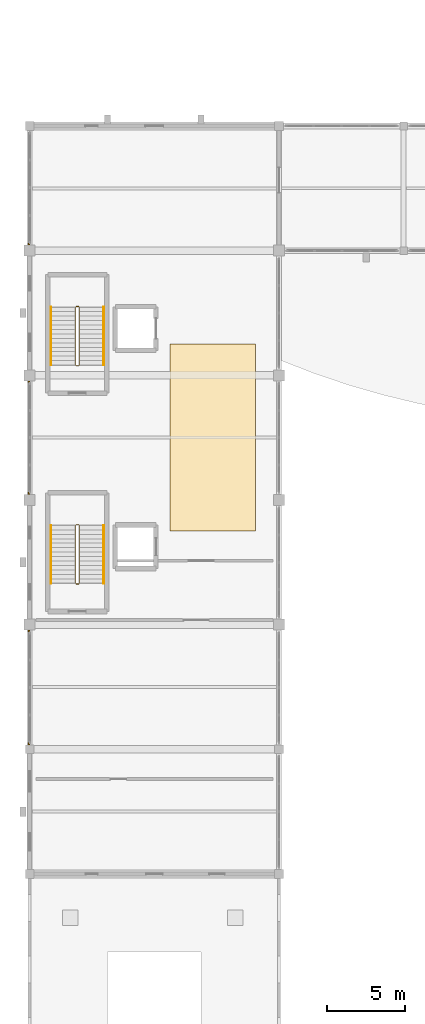
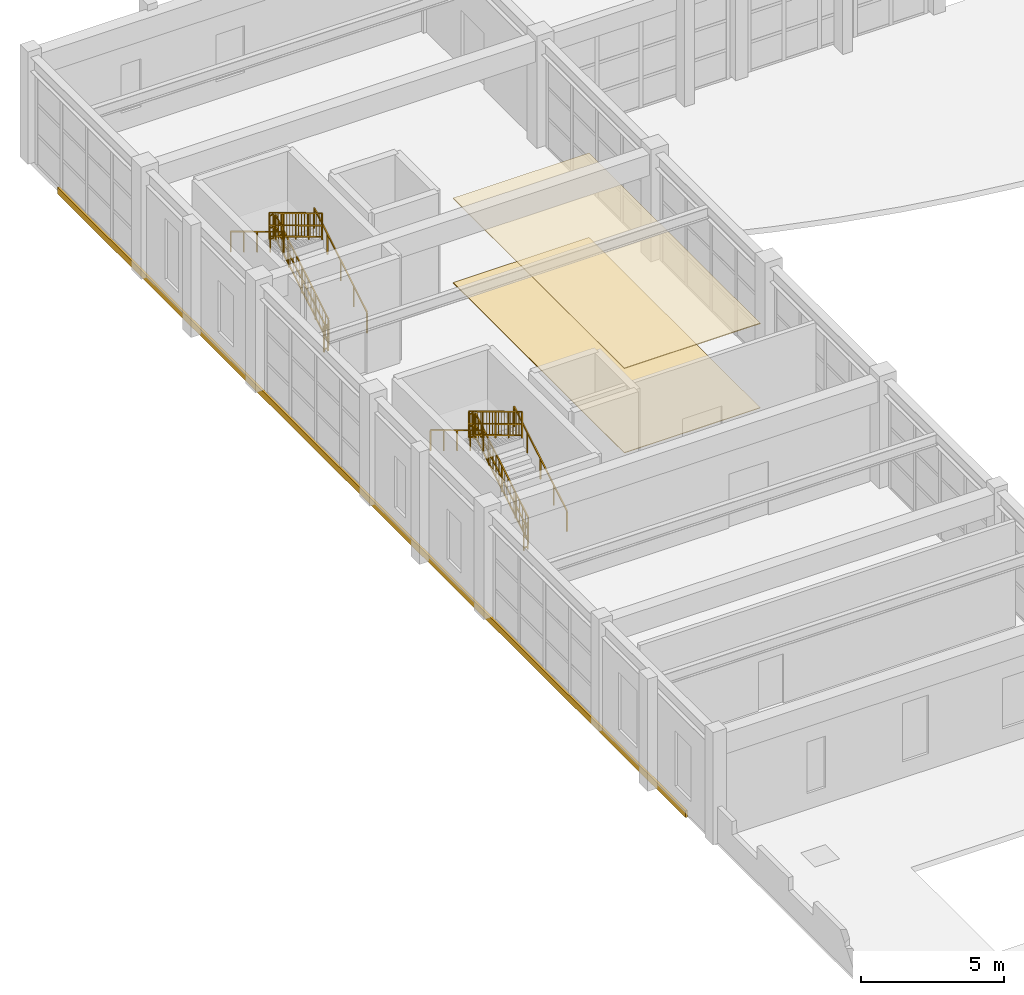
# One storey, part 51 of 59: 12 railings, 3 coverings.
"""IFC4 building model written with IfcOpenShell, lengths in metres."""

import ifcopenshell
import ifcopenshell.guid

model = None  # the IFC model being written
_history = None  # IfcOwnerHistory: only IFC2X3 demands one
_inside = {}  # id of a spatial element -> (the spatial element, [elements in it])
_under = {}  # id of a project, library or spatial element -> (it, [spatial elements below it])
_declared = {}  # id of a project -> (the project, [libraries it declares])
_typed = {}  # id of a type object -> (the type object, [elements of that type])
_made_of = {}  # id of a material, layer set ... -> (it, [elements and type objects made of it])


def new_model(schema):
    """Start an empty IFC model of exactly this schema.

    Asked for "IFC4X3", IfcOpenShell would pick the latest addendum, in which some entities
    have other attributes; the version numbers below select the first issue.
    IFC2X3 requires an IfcOwnerHistory on every rooted entity: one is made here for all.
    """
    global model, _history
    if schema == "IFC4X3":
        model = ifcopenshell.file(schema_version=(4, 3, 0, 0))
    else:
        model = ifcopenshell.file(schema=schema)
    _inside.clear()
    _under.clear()
    _declared.clear()
    _typed.clear()
    _made_of.clear()
    _history = None
    if model.schema == "IFC2X3":
        org = make("IfcOrganization", Name="unknown")
        user = make(
            "IfcPersonAndOrganization",
            ThePerson=make("IfcPerson", FamilyName="unknown"),
            TheOrganization=org,
        )
        app = make(
            "IfcApplication",
            ApplicationDeveloper=org,
            Version="unknown",
            ApplicationFullName="unknown",
            ApplicationIdentifier="unknown",
        )
        _history = make(
            "IfcOwnerHistory",
            OwningUser=user,
            OwningApplication=app,
            ChangeAction="ADDED",
            CreationDate=0,
        )
    return model


def make(cls, **values):
    """One entity of the class cls with the attributes given. An attribute that is None is left unset."""
    return model.create_entity(
        cls, **{name: value for name, value in values.items() if value is not None}
    )


def rooted(cls, **values):
    """An entity with a GlobalId (a new one), such as an element, a storey or a relation."""
    return make(cls, GlobalId=ifcopenshell.guid.new(), OwnerHistory=_history, **values)


def si_unit(unit_type, name, prefix=None):
    """IfcSIUnit, for example si_unit("LENGTHUNIT", "METRE", prefix="MILLI")."""
    return make("IfcSIUnit", UnitType=unit_type, Prefix=prefix, Name=name)


def assignment(units):
    """IfcUnitAssignment: the units of a project."""
    return None if units is None else make("IfcUnitAssignment", Units=units)


def point(xyz):
    """IfcCartesianPoint."""
    return None if xyz is None else make("IfcCartesianPoint", Coordinates=xyz)


def direction(xyz):
    """IfcDirection."""
    return None if xyz is None else make("IfcDirection", DirectionRatios=xyz)


def frame(location, z_axis=None, x_axis=None):
    """IfcAxis2Placement3D, a coordinate frame: its origin and axes. An axis left out is left unset."""
    return make(
        "IfcAxis2Placement3D",
        Location=point(location),
        Axis=direction(z_axis),
        RefDirection=direction(x_axis),
    )


def frame_2d(location, x_axis=None):
    """IfcAxis2Placement2D, a coordinate frame in the plane: its origin and x axis."""
    return make(
        "IfcAxis2Placement2D", Location=point(location), RefDirection=direction(x_axis)
    )


def origin():
    """The frame at (0, 0, 0) with its axes left unset."""
    return frame((0.0, 0.0, 0.0))


def origin_2d():
    """The frame at (0, 0) in the plane with its x axis left unset."""
    return frame_2d((0.0, 0.0))


def place(relative_to, where):
    """IfcLocalPlacement: puts the frame where relative to a parent placement (None: the world)."""
    return make(
        "IfcLocalPlacement", PlacementRelTo=relative_to, RelativePlacement=where
    )


def context(
    kind, dimensions, precision=None, world=None, true_north=None, identifier=None
):
    """IfcGeometricRepresentationContext, for example the 3D "Model" context."""
    return make(
        "IfcGeometricRepresentationContext",
        ContextIdentifier=identifier,
        ContextType=kind,
        CoordinateSpaceDimension=dimensions,
        Precision=precision,
        WorldCoordinateSystem=world,
        TrueNorth=true_north,
    )


def subcontext(parent, identifier, kind, view, scale=None):
    """IfcGeometricRepresentationSubContext, for example "Body" below "Model"."""
    return make(
        "IfcGeometricRepresentationSubContext",
        ContextIdentifier=identifier,
        ContextType=kind,
        ParentContext=parent,
        TargetScale=scale,
        TargetView=view,
    )


def project(units=None, contexts=None):
    """IfcProject with its units and contexts."""
    return rooted(
        "IfcProject",
        Name="project",
        RepresentationContexts=contexts,
        UnitsInContext=assignment(units),
    )


def spatial(cls, under=None, at=None, **own):
    """A site, building, storey or space (cls), placed at a placement, below another one or the project."""
    s = rooted(cls, ObjectPlacement=at, **own)
    if under is not None:
        _under.setdefault(under.id(), (under, []))[1].append(s)
    return s


def polyline(points):
    """IfcPolyline through the points."""
    return make("IfcPolyline", Points=[point(p) for p in points])


def profile(cls, at=None, kind="AREA", **sizes):
    """A parametric profile (cls). Its sizes go by their IFC names, for example OverallWidth=200.0."""
    return make(cls, ProfileType=kind, Position=at, **sizes)


def rectangle(**sizes):
    """IfcRectangleProfileDef."""
    return profile("IfcRectangleProfileDef", **sizes)


def outline(outer, holes=None, kind="AREA"):
    """IfcArbitraryClosedProfileDef: a profile drawn as a closed curve; with holes, ...WithVoids."""
    if holes is None:
        return make("IfcArbitraryClosedProfileDef", ProfileType=kind, OuterCurve=outer)
    return make(
        "IfcArbitraryProfileDefWithVoids",
        ProfileType=kind,
        OuterCurve=outer,
        InnerCurves=holes,
    )


def extrude(swept, where, along, depth):
    """IfcExtrudedAreaSolid: the profile swept, set in the frame where, extruded along a direction by depth."""
    return make(
        "IfcExtrudedAreaSolid",
        SweptArea=swept,
        Position=where,
        ExtrudedDirection=direction(along),
        Depth=depth,
    )


def shape(context_of_items, identifier, shape_type, items):
    """IfcShapeRepresentation: the items that make up one representation, for example the "Body"."""
    return make(
        "IfcShapeRepresentation",
        ContextOfItems=context_of_items,
        RepresentationIdentifier=identifier,
        RepresentationType=shape_type,
        Items=items,
    )


def material(Name=None, Category=None):
    """IfcMaterial."""
    return make("IfcMaterial", Name=Name, Category=Category)


def layer(
    of_material, thickness, ventilated=None, Name=None, Category=None, Priority=None
):
    """IfcMaterialLayer: one layer of a wall or slab, of a material (None: an air gap)."""
    return make(
        "IfcMaterialLayer",
        Material=of_material,
        LayerThickness=thickness,
        IsVentilated=ventilated,
        Name=Name,
        Category=Category,
        Priority=Priority,
    )


def layer_set(layers, Name=None):
    """IfcMaterialLayerSet."""
    return make("IfcMaterialLayerSet", MaterialLayers=layers, LayerSetName=Name)


def made_of(thing, what):
    """Note that an element or type object is made of a material, layer set ...; save() writes the relation."""
    if what is not None:
        _made_of.setdefault(what.id(), (what, []))[1].append(thing)
    return thing


def type_object(cls, material=None, **own):
    """A type object (cls), such as IfcWallType, which elements share."""
    return made_of(rooted(cls, **own), material)


def element(
    cls,
    number,
    at=None,
    inside=None,
    cuts=None,
    type_object=None,
    material=None,
    context=None,
    identifier="Body",
    shape_type=None,
    held_by="IfcProductDefinitionShape",
    body=None,
    shapes=None,
    **own,
):
    """One element of the class cls, such as IfcWall. Its Tag is "e" and its number.

    at: its placement. inside: the storey or other place that contains it. cuts: it is an
    opening in that element (IfcRelVoidsElement). A single representation is given by context,
    identifier, shape_type and body (its items); several are given by shapes. held_by: the class
    of the entity that holds the representations. save() writes the other relations.
    """
    e = rooted(cls, Tag="e%d" % number, ObjectPlacement=at, **own)
    if body is not None:
        shapes = [shape(context, identifier, shape_type, body)]
    if shapes is not None:
        e.Representation = make(held_by, Representations=shapes)
    if inside is not None:
        _inside.setdefault(inside.id(), (inside, []))[1].append(e)
    if cuts is not None:
        rooted(
            "IfcRelVoidsElement", RelatingBuildingElement=cuts, RelatedOpeningElement=e
        )
    if type_object is not None:
        _typed.setdefault(type_object.id(), (type_object, []))[1].append(e)
    return made_of(e, material)


def aggregate(whole, parts):
    """IfcRelAggregates: a whole, such as a stair, and the parts it consists of."""
    return rooted("IfcRelAggregates", RelatingObject=whole, RelatedObjects=parts)


def save(model, path):
    """Write the relations noted so far, then the file.

    IfcRelAggregates (storeys below a building ...), IfcRelContainedInSpatialStructure (elements
    in a storey), IfcRelDefinesByType, IfcRelAssociatesMaterial and IfcRelDeclares: one each for
    every whole, place, type object, material and project.
    """
    for whole, parts in _under.values():
        aggregate(whole, parts)
    for where, things in _inside.values():
        rooted(
            "IfcRelContainedInSpatialStructure",
            RelatedElements=things,
            RelatingStructure=where,
        )
    for kind, things in _typed.values():
        rooted("IfcRelDefinesByType", RelatedObjects=things, RelatingType=kind)
    for what, things in _made_of.values():
        rooted("IfcRelAssociatesMaterial", RelatedObjects=things, RelatingMaterial=what)
    for by, libraries in _declared.values():
        rooted("IfcRelDeclares", RelatingContext=by, RelatedDefinitions=libraries)
    model.write(path)


model = new_model("IFC4")

# Units and contexts
model_context = context("Model", 3, precision=1e-05, world=origin(), true_north=direction((0.0, 1.0)))
body_context = subcontext(model_context, "Body", "Model", "MODEL_VIEW")
ifc_project = project(units=[si_unit("LENGTHUNIT", "METRE"), si_unit("AREAUNIT", "SQUARE_METRE"), si_unit("VOLUMEUNIT", "CUBIC_METRE"), si_unit("PLANEANGLEUNIT", "RADIAN"), si_unit("MASSUNIT", "GRAM", prefix="KILO")], contexts=[model_context])

# Site, building, storey
site_placement = place(None, origin())
site = spatial("IfcSite", under=ifc_project, at=site_placement, CompositionType="ELEMENT")
building_placement = place(site_placement, origin())
building = spatial("IfcBuilding", under=site, at=building_placement, Name="Serraluz Foothill Cableway Terminal", CompositionType="ELEMENT")
storey_placement = place(building_placement, frame((0.0, 0.0, 4.800048828125)))
storey = spatial("IfcBuildingStorey", under=building, at=storey_placement, Name="L01", CompositionType="ELEMENT", Elevation=4.800048828125)

# Coverings
ifc_material_1 = material(Name="Perforated acoustic mineral and timber ceiling", Category="wood")
ifc_layer_1 = layer(ifc_material_1, 0.034912109375, Name="Perforated acoustic mineral and timber ceiling", Category="wood")
ifc_layer_set_1 = layer_set([ifc_layer_1], Name="Perforated acoustic mineral and timber ceiling")
covering_type_1 = type_object("IfcCoveringType", Name="TYP-COV-CEIL-35", PredefinedType="CEILING", material=ifc_layer_set_1)
covering_1_placement = place(storey_placement, frame((0.0, 0.0, 3.60595703125)))
element("IfcCovering", 1, at=covering_1_placement, inside=storey, type_object=covering_type_1, Name="Suspended Acoustic Ceiling 08", PredefinedType="CEILING", context=body_context, shape_type="SweptSolid", body=[
    extrude(outline(polyline([(9.0, 50.0), (14.5, 50.0), (14.5, 38.0), (9.0, 38.0), (9.0, 50.0)])), origin(), (0.0, 0.0, 1.0), 0.034912109375),
])
ifc_material_2 = material(Name="Fired clay masonry brick (f'm 12 MPa)", Category="masonry")
ifc_layer_2 = layer(ifc_material_2, 0.090087890625, Name="Fired clay masonry brick (f'm 12 MPa)", Category="masonry")
ifc_layer_set_2 = layer_set([ifc_layer_2], Name="Fired clay masonry brick (f'm 12 MPa)")
covering_type_2 = type_object("IfcCoveringType", Name="TYP-COV-CLAD-90", PredefinedType="CLADDING", material=ifc_layer_set_2)
covering_2_placement = place(storey_placement, frame((-0.030029296875, 40.0, -0.2802734375), z_axis=(0.0, 0.0, 1.0), x_axis=(0.0, 1.0, 0.0)))
element("IfcCovering", 2, at=covering_2_placement, inside=storey, type_object=covering_type_2, Name="Terracotta Spandrel Relief Band COV-CLAD-V5W-1", PredefinedType="CLADDING", context=body_context, shape_type="SweptSolid", body=[
    extrude(rectangle(XDim=44.0, YDim=0.090087890625, at=origin_2d()), origin(), (0.0, 0.0, 1.0), 0.280029296875),
])
ifc_material_3 = material(Name="Honed basalt and terrazzo floor finish", Category="masonry")
ifc_layer_3 = layer(ifc_material_3, 0.02490234375, Name="Honed basalt and terrazzo floor finish", Category="masonry")
ifc_layer_set_3 = layer_set([ifc_layer_3], Name="Honed basalt and terrazzo floor finish")
covering_type_3 = type_object("IfcCoveringType", Name="TYP-COV-FLR-25", PredefinedType="FLOORING", material=ifc_layer_set_3)
covering_3_placement = place(storey_placement, origin())
element("IfcCovering", 3, at=covering_3_placement, inside=storey, type_object=covering_type_3, Name="Terrazzo Concourse Flooring 08", PredefinedType="FLOORING", context=body_context, shape_type="SweptSolid", body=[
    extrude(outline(polyline([(9.0, 38.0), (14.5, 38.0), (14.5, 50.0), (9.0, 50.0), (9.0, 38.0)])), origin(), (0.0, 0.0, 1.0), 0.02490234375),
])

# Railings
ifc_material_4 = material(Name="Steel ASTM A572 Grade 50", Category="steel")
ifc_layer_4 = layer(ifc_material_4, 0.054931640625, Name="Steel ASTM A572 Grade 50", Category="steel")
ifc_layer_set_4 = layer_set([ifc_layer_4], Name="Steel ASTM A572 Grade 50")
railing_type_1 = type_object("IfcRailingType", Name="TYP-RL-GRD-1150", PredefinedType="GUARDRAIL", material=ifc_layer_set_4)
railing_1_placement = place(storey_placement, frame((3.18994140625, 48.659912109375, 0.17138671875)))
element("IfcRailing", 4, at=railing_1_placement, inside=storey, type_object=railing_type_1, Name="L01 ST-01 stair guard 1", PredefinedType="GUARDRAIL", context=body_context, shape_type="SweptSolid", body=[
    extrude(rectangle(XDim=0.048095703125, YDim=0.048095703125, at=origin_2d()), frame((0.0, 0.0, 1.1259765625), z_axis=(0.0, 0.856934400257, 0.515425487977), x_axis=(-1.0, 0.0, 0.0)), (0.0, 0.0, 1.0), 4.32373046875),
    extrude(rectangle(XDim=0.048095703125, YDim=0.048095703125, at=origin_2d()), frame((0.0, 0.0, 0.597900390625), z_axis=(0.0, 0.856934400257, 0.515425487977), x_axis=(-1.0, 0.0, 0.0)), (0.0, 0.0, 1.0), 4.32373046875),
    extrude(rectangle(XDim=0.048095703125, YDim=0.048095703125, at=origin_2d()), frame((0.0, 0.0, 0.1201171875), z_axis=(0.0, 0.856934400257, 0.515425487977), x_axis=(-1.0, 0.0, 0.0)), (0.0, 0.0, 1.0), 4.32373046875),
    extrude(rectangle(XDim=0.02001953125, YDim=0.02001953125, at=origin_2d()), frame((0.0, 0.205810546875, 0.243896484375)), (0.0, 0.0, 1.0), 0.981689453125),
    extrude(rectangle(XDim=0.02001953125, YDim=0.02001953125, at=origin_2d()), frame((0.0, 0.41162109375, 0.36767578125)), (0.0, 0.0, 1.0), 0.981689453125),
    extrude(rectangle(XDim=0.02001953125, YDim=0.02001953125, at=origin_2d()), frame((0.0, 0.617431640625, 0.491455078125)), (0.0, 0.0, 1.0), 0.981689453125),
    extrude(rectangle(XDim=0.02001953125, YDim=0.02001953125, at=origin_2d()), frame((0.0, 0.8232421875, 0.615234375)), (0.0, 0.0, 1.0), 0.981689453125),
    extrude(rectangle(XDim=0.02001953125, YDim=0.02001953125, at=origin_2d()), frame((0.0, 1.029296875, 0.739013671875)), (0.0, 0.0, 1.0), 0.981689453125),
    extrude(rectangle(XDim=0.02001953125, YDim=0.02001953125, at=origin_2d()), frame((0.0, 1.235107421875, 0.86279296875)), (0.0, 0.0, 1.0), 0.981689453125),
    extrude(rectangle(XDim=0.02001953125, YDim=0.02001953125, at=origin_2d()), frame((0.0, 1.44091796875, 0.986572265625)), (0.0, 0.0, 1.0), 0.981689453125),
    extrude(rectangle(XDim=0.02001953125, YDim=0.02001953125, at=origin_2d()), frame((0.0, 1.646728515625, 1.1103515625)), (0.0, 0.0, 1.0), 0.981689453125),
    extrude(rectangle(XDim=0.02001953125, YDim=0.02001953125, at=origin_2d()), frame((0.0, 2.058349609375, 1.358154296875)), (0.0, 0.0, 1.0), 0.981689453125),
    extrude(rectangle(XDim=0.02001953125, YDim=0.02001953125, at=origin_2d()), frame((0.0, 2.26416015625, 1.48193359375)), (0.0, 0.0, 1.0), 0.981689453125),
    extrude(rectangle(XDim=0.02001953125, YDim=0.02001953125, at=origin_2d()), frame((0.0, 2.469970703125, 1.605712890625)), (0.0, 0.0, 1.0), 0.981689453125),
    extrude(rectangle(XDim=0.02001953125, YDim=0.02001953125, at=origin_2d()), frame((0.0, 2.67578125, 1.7294921875)), (0.0, 0.0, 1.0), 0.981689453125),
    extrude(rectangle(XDim=0.02001953125, YDim=0.02001953125, at=origin_2d()), frame((0.0, 2.8818359375, 1.853271484375)), (0.0, 0.0, 1.0), 0.981689453125),
    extrude(rectangle(XDim=0.02001953125, YDim=0.02001953125, at=origin_2d()), frame((0.0, 3.087646484375, 1.97705078125)), (0.0, 0.0, 1.0), 0.981689453125),
    extrude(rectangle(XDim=0.02001953125, YDim=0.02001953125, at=origin_2d()), frame((0.0, 3.29345703125, 2.100830078125)), (0.0, 0.0, 1.0), 0.981689453125),
    extrude(rectangle(XDim=0.02001953125, YDim=0.02001953125, at=origin_2d()), frame((0.0, 3.499267578125, 2.224609375)), (0.0, 0.0, 1.0), 0.981689453125),
    extrude(rectangle(XDim=0.0439453125, YDim=0.0439453125, at=origin_2d()), origin(), (0.0, 0.0, 1.0), 1.101806640625),
    extrude(rectangle(XDim=0.0439453125, YDim=0.0439453125, at=origin_2d()), frame((0.0, 0.92626953125, 0.55712890625)), (0.0, 0.0, 1.0), 1.101806640625),
    extrude(rectangle(XDim=0.0439453125, YDim=0.0439453125, at=origin_2d()), frame((0.0, 1.8525390625, 1.1142578125)), (0.0, 0.0, 1.0), 1.101806640625),
    extrude(rectangle(XDim=0.0439453125, YDim=0.0439453125, at=origin_2d()), frame((0.0, 2.77880859375, 1.67138671875)), (0.0, 0.0, 1.0), 1.101806640625),
    extrude(rectangle(XDim=0.0439453125, YDim=0.0439453125, at=origin_2d()), frame((0.0, 3.705078125, 2.228515625)), (0.0, 0.0, 1.0), 1.101806640625),
])
railing_2_placement = place(storey_placement, frame((3.139892578125, 52.4150390625, 2.39990234375)))
element("IfcRailing", 5, at=railing_2_placement, inside=storey, type_object=railing_type_1, Name="L01 ST-01 stair guard 2", PredefinedType="GUARDRAIL", context=body_context, shape_type="SweptSolid", body=[
    extrude(rectangle(XDim=0.048095703125, YDim=0.048095703125, at=origin_2d()), frame((0.0, 0.0, 1.1259765625), z_axis=(-1.0, 0.0, 0.0), x_axis=(0.0, -1.0, 0.0)), (0.0, 0.0, 1.0), 0.159912109375),
    extrude(rectangle(XDim=0.048095703125, YDim=0.048095703125, at=origin_2d()), frame((0.0, 0.0, 0.597900390625), z_axis=(-1.0, 0.0, 0.0), x_axis=(0.0, -1.0, 0.0)), (0.0, 0.0, 1.0), 0.159912109375),
    extrude(rectangle(XDim=0.048095703125, YDim=0.048095703125, at=origin_2d()), frame((0.0, 0.0, 0.1201171875), z_axis=(-1.0, 0.0, 0.0), x_axis=(0.0, -1.0, 0.0)), (0.0, 0.0, 1.0), 0.159912109375),
    extrude(rectangle(XDim=0.0439453125, YDim=0.0439453125, at=origin_2d()), origin(), (0.0, 0.0, 1.0), 1.101806640625),
    extrude(rectangle(XDim=0.0439453125, YDim=0.0439453125, at=origin_2d()), frame((-0.159912109375, 0.0, 0.0)), (0.0, 0.0, 1.0), 1.101806640625),
])
railing_3_placement = place(storey_placement, frame((2.929931640625, 52.364990234375, 2.5712890625)))
element("IfcRailing", 6, at=railing_3_placement, inside=storey, type_object=railing_type_1, Name="L01 ST-01 stair guard 3", PredefinedType="GUARDRAIL", context=body_context, shape_type="SweptSolid", body=[
    extrude(rectangle(XDim=0.048095703125, YDim=0.048095703125, at=origin_2d()), frame((0.0, 0.0, 1.1259765625), z_axis=(0.0, -0.856909459561, 0.515466951525), x_axis=(1.0, 0.0, 0.0)), (0.0, 0.0, 1.0), 4.32373046875),
    extrude(rectangle(XDim=0.048095703125, YDim=0.048095703125, at=origin_2d()), frame((0.0, 0.0, 0.597900390625), z_axis=(0.0, -0.856909459561, 0.515466951525), x_axis=(1.0, 0.0, 0.0)), (0.0, 0.0, 1.0), 4.32373046875),
    extrude(rectangle(XDim=0.048095703125, YDim=0.048095703125, at=origin_2d()), frame((0.0, 0.0, 0.1201171875), z_axis=(0.0, -0.856909459561, 0.515466951525), x_axis=(1.0, 0.0, 0.0)), (0.0, 0.0, 1.0), 4.32373046875),
    extrude(rectangle(XDim=0.02001953125, YDim=0.02001953125, at=origin_2d()), frame((0.0, -0.205810546875, 0.243896484375)), (0.0, 0.0, 1.0), 0.981689453125),
    extrude(rectangle(XDim=0.02001953125, YDim=0.02001953125, at=origin_2d()), frame((0.0, -0.41162109375, 0.36767578125)), (0.0, 0.0, 1.0), 0.981689453125),
    extrude(rectangle(XDim=0.02001953125, YDim=0.02001953125, at=origin_2d()), frame((0.0, -0.617431640625, 0.491455078125)), (0.0, 0.0, 1.0), 0.981689453125),
    extrude(rectangle(XDim=0.02001953125, YDim=0.02001953125, at=origin_2d()), frame((0.0, -0.8232421875, 0.615234375)), (0.0, 0.0, 1.0), 0.981689453125),
    extrude(rectangle(XDim=0.02001953125, YDim=0.02001953125, at=origin_2d()), frame((0.0, -1.029296875, 0.739013671875)), (0.0, 0.0, 1.0), 0.981689453125),
    extrude(rectangle(XDim=0.02001953125, YDim=0.02001953125, at=origin_2d()), frame((0.0, -1.235107421875, 0.863037109375)), (0.0, 0.0, 1.0), 0.981689453125),
    extrude(rectangle(XDim=0.02001953125, YDim=0.02001953125, at=origin_2d()), frame((0.0, -1.44091796875, 0.98681640625)), (0.0, 0.0, 1.0), 0.981689453125),
    extrude(rectangle(XDim=0.02001953125, YDim=0.02001953125, at=origin_2d()), frame((0.0, -1.646728515625, 1.110595703125)), (0.0, 0.0, 1.0), 0.981689453125),
    extrude(rectangle(XDim=0.02001953125, YDim=0.02001953125, at=origin_2d()), frame((0.0, -2.058349609375, 1.358154296875)), (0.0, 0.0, 1.0), 0.981689453125),
    extrude(rectangle(XDim=0.02001953125, YDim=0.02001953125, at=origin_2d()), frame((0.0, -2.26416015625, 1.48193359375)), (0.0, 0.0, 1.0), 0.981689453125),
    extrude(rectangle(XDim=0.02001953125, YDim=0.02001953125, at=origin_2d()), frame((0.0, -2.469970703125, 1.60595703125)), (0.0, 0.0, 1.0), 0.981689453125),
    extrude(rectangle(XDim=0.02001953125, YDim=0.02001953125, at=origin_2d()), frame((0.0, -2.67578125, 1.729736328125)), (0.0, 0.0, 1.0), 0.981689453125),
    extrude(rectangle(XDim=0.02001953125, YDim=0.02001953125, at=origin_2d()), frame((0.0, -2.8818359375, 1.853515625)), (0.0, 0.0, 1.0), 0.981689453125),
    extrude(rectangle(XDim=0.02001953125, YDim=0.02001953125, at=origin_2d()), frame((0.0, -3.087646484375, 1.977294921875)), (0.0, 0.0, 1.0), 0.981689453125),
    extrude(rectangle(XDim=0.02001953125, YDim=0.02001953125, at=origin_2d()), frame((0.0, -3.29345703125, 2.10107421875)), (0.0, 0.0, 1.0), 0.981689453125),
    extrude(rectangle(XDim=0.02001953125, YDim=0.02001953125, at=origin_2d()), frame((0.0, -3.499267578125, 2.224853515625)), (0.0, 0.0, 1.0), 0.981689453125),
    extrude(rectangle(XDim=0.0439453125, YDim=0.0439453125, at=origin_2d()), origin(), (0.0, 0.0, 1.0), 1.101806640625),
    extrude(rectangle(XDim=0.0439453125, YDim=0.0439453125, at=origin_2d()), frame((0.0, -0.92626953125, 0.55712890625)), (0.0, 0.0, 1.0), 1.101806640625),
    extrude(rectangle(XDim=0.0439453125, YDim=0.0439453125, at=origin_2d()), frame((0.0, -1.8525390625, 1.1142578125)), (0.0, 0.0, 1.0), 1.101806640625),
    extrude(rectangle(XDim=0.0439453125, YDim=0.0439453125, at=origin_2d()), frame((0.0, -2.77880859375, 1.671630859375)), (0.0, 0.0, 1.0), 1.101806640625),
    extrude(rectangle(XDim=0.0439453125, YDim=0.0439453125, at=origin_2d()), frame((0.0, -3.705078125, 2.228759765625)), (0.0, 0.0, 1.0), 1.101806640625),
])
railing_4_placement = place(storey_placement, frame((3.139892578125, 48.610107421875, 0.0)))
element("IfcRailing", 7, at=railing_4_placement, inside=storey, type_object=railing_type_1, Name="L01 ST-01 stair guard 4", PredefinedType="GUARDRAIL", context=body_context, shape_type="SweptSolid", body=[
    extrude(rectangle(XDim=0.048095703125, YDim=0.048095703125, at=origin_2d()), frame((0.0, 0.0, 1.1259765625), z_axis=(-1.0, 0.0, 0.0), x_axis=(0.0, -1.0, 0.0)), (0.0, 0.0, 1.0), 0.159912109375),
    extrude(rectangle(XDim=0.048095703125, YDim=0.048095703125, at=origin_2d()), frame((0.0, 0.0, 0.597900390625), z_axis=(-1.0, 0.0, 0.0), x_axis=(0.0, -1.0, 0.0)), (0.0, 0.0, 1.0), 0.159912109375),
    extrude(rectangle(XDim=0.048095703125, YDim=0.048095703125, at=origin_2d()), frame((0.0, 0.0, 0.1201171875), z_axis=(-1.0, 0.0, 0.0), x_axis=(0.0, -1.0, 0.0)), (0.0, 0.0, 1.0), 0.159912109375),
    extrude(rectangle(XDim=0.0439453125, YDim=0.0439453125, at=origin_2d()), origin(), (0.0, 0.0, 1.0), 1.101806640625),
    extrude(rectangle(XDim=0.0439453125, YDim=0.0439453125, at=origin_2d()), frame((-0.159912109375, 0.0, 0.0)), (0.0, 0.0, 1.0), 1.101806640625),
])
railing_5_placement = place(storey_placement, frame((3.18994140625, 34.659912109375, 0.17138671875)))
element("IfcRailing", 8, at=railing_5_placement, inside=storey, type_object=railing_type_1, Name="L01 ST-02 stair guard 1", PredefinedType="GUARDRAIL", context=body_context, shape_type="SweptSolid", body=[
    extrude(rectangle(XDim=0.048095703125, YDim=0.048095703125, at=origin_2d()), frame((0.0, 0.0, 1.1259765625), z_axis=(0.0, 0.856934400257, 0.515425487977), x_axis=(-1.0, 0.0, 0.0)), (0.0, 0.0, 1.0), 4.32373046875),
    extrude(rectangle(XDim=0.048095703125, YDim=0.048095703125, at=origin_2d()), frame((0.0, 0.0, 0.597900390625), z_axis=(0.0, 0.856934400257, 0.515425487977), x_axis=(-1.0, 0.0, 0.0)), (0.0, 0.0, 1.0), 4.32373046875),
    extrude(rectangle(XDim=0.048095703125, YDim=0.048095703125, at=origin_2d()), frame((0.0, 0.0, 0.1201171875), z_axis=(0.0, 0.856934400257, 0.515425487977), x_axis=(-1.0, 0.0, 0.0)), (0.0, 0.0, 1.0), 4.32373046875),
    extrude(rectangle(XDim=0.02001953125, YDim=0.02001953125, at=origin_2d()), frame((0.0, 0.205810546875, 0.243896484375)), (0.0, 0.0, 1.0), 0.981689453125),
    extrude(rectangle(XDim=0.02001953125, YDim=0.02001953125, at=origin_2d()), frame((0.0, 0.41162109375, 0.36767578125)), (0.0, 0.0, 1.0), 0.981689453125),
    extrude(rectangle(XDim=0.02001953125, YDim=0.02001953125, at=origin_2d()), frame((0.0, 0.617431640625, 0.491455078125)), (0.0, 0.0, 1.0), 0.981689453125),
    extrude(rectangle(XDim=0.02001953125, YDim=0.02001953125, at=origin_2d()), frame((0.0, 0.8232421875, 0.615234375)), (0.0, 0.0, 1.0), 0.981689453125),
    extrude(rectangle(XDim=0.02001953125, YDim=0.02001953125, at=origin_2d()), frame((0.0, 1.029296875, 0.739013671875)), (0.0, 0.0, 1.0), 0.981689453125),
    extrude(rectangle(XDim=0.02001953125, YDim=0.02001953125, at=origin_2d()), frame((0.0, 1.235107421875, 0.86279296875)), (0.0, 0.0, 1.0), 0.981689453125),
    extrude(rectangle(XDim=0.02001953125, YDim=0.02001953125, at=origin_2d()), frame((0.0, 1.44091796875, 0.986572265625)), (0.0, 0.0, 1.0), 0.981689453125),
    extrude(rectangle(XDim=0.02001953125, YDim=0.02001953125, at=origin_2d()), frame((0.0, 1.646728515625, 1.1103515625)), (0.0, 0.0, 1.0), 0.981689453125),
    extrude(rectangle(XDim=0.02001953125, YDim=0.02001953125, at=origin_2d()), frame((0.0, 2.058349609375, 1.358154296875)), (0.0, 0.0, 1.0), 0.981689453125),
    extrude(rectangle(XDim=0.02001953125, YDim=0.02001953125, at=origin_2d()), frame((0.0, 2.26416015625, 1.48193359375)), (0.0, 0.0, 1.0), 0.981689453125),
    extrude(rectangle(XDim=0.02001953125, YDim=0.02001953125, at=origin_2d()), frame((0.0, 2.469970703125, 1.605712890625)), (0.0, 0.0, 1.0), 0.981689453125),
    extrude(rectangle(XDim=0.02001953125, YDim=0.02001953125, at=origin_2d()), frame((0.0, 2.67578125, 1.7294921875)), (0.0, 0.0, 1.0), 0.981689453125),
    extrude(rectangle(XDim=0.02001953125, YDim=0.02001953125, at=origin_2d()), frame((0.0, 2.8818359375, 1.853271484375)), (0.0, 0.0, 1.0), 0.981689453125),
    extrude(rectangle(XDim=0.02001953125, YDim=0.02001953125, at=origin_2d()), frame((0.0, 3.087646484375, 1.97705078125)), (0.0, 0.0, 1.0), 0.981689453125),
    extrude(rectangle(XDim=0.02001953125, YDim=0.02001953125, at=origin_2d()), frame((0.0, 3.29345703125, 2.100830078125)), (0.0, 0.0, 1.0), 0.981689453125),
    extrude(rectangle(XDim=0.02001953125, YDim=0.02001953125, at=origin_2d()), frame((0.0, 3.499267578125, 2.224609375)), (0.0, 0.0, 1.0), 0.981689453125),
    extrude(rectangle(XDim=0.0439453125, YDim=0.0439453125, at=origin_2d()), origin(), (0.0, 0.0, 1.0), 1.101806640625),
    extrude(rectangle(XDim=0.0439453125, YDim=0.0439453125, at=origin_2d()), frame((0.0, 0.92626953125, 0.55712890625)), (0.0, 0.0, 1.0), 1.101806640625),
    extrude(rectangle(XDim=0.0439453125, YDim=0.0439453125, at=origin_2d()), frame((0.0, 1.8525390625, 1.1142578125)), (0.0, 0.0, 1.0), 1.101806640625),
    extrude(rectangle(XDim=0.0439453125, YDim=0.0439453125, at=origin_2d()), frame((0.0, 2.77880859375, 1.67138671875)), (0.0, 0.0, 1.0), 1.101806640625),
    extrude(rectangle(XDim=0.0439453125, YDim=0.0439453125, at=origin_2d()), frame((0.0, 3.705078125, 2.228515625)), (0.0, 0.0, 1.0), 1.101806640625),
])
railing_6_placement = place(storey_placement, frame((3.139892578125, 38.4150390625, 2.39990234375)))
element("IfcRailing", 9, at=railing_6_placement, inside=storey, type_object=railing_type_1, Name="L01 ST-02 stair guard 2", PredefinedType="GUARDRAIL", context=body_context, shape_type="SweptSolid", body=[
    extrude(rectangle(XDim=0.048095703125, YDim=0.048095703125, at=origin_2d()), frame((0.0, 0.0, 1.1259765625), z_axis=(-1.0, 0.0, 0.0), x_axis=(0.0, -1.0, 0.0)), (0.0, 0.0, 1.0), 0.159912109375),
    extrude(rectangle(XDim=0.048095703125, YDim=0.048095703125, at=origin_2d()), frame((0.0, 0.0, 0.597900390625), z_axis=(-1.0, 0.0, 0.0), x_axis=(0.0, -1.0, 0.0)), (0.0, 0.0, 1.0), 0.159912109375),
    extrude(rectangle(XDim=0.048095703125, YDim=0.048095703125, at=origin_2d()), frame((0.0, 0.0, 0.1201171875), z_axis=(-1.0, 0.0, 0.0), x_axis=(0.0, -1.0, 0.0)), (0.0, 0.0, 1.0), 0.159912109375),
    extrude(rectangle(XDim=0.0439453125, YDim=0.0439453125, at=origin_2d()), origin(), (0.0, 0.0, 1.0), 1.101806640625),
    extrude(rectangle(XDim=0.0439453125, YDim=0.0439453125, at=origin_2d()), frame((-0.159912109375, 0.0, 0.0)), (0.0, 0.0, 1.0), 1.101806640625),
])
railing_7_placement = place(storey_placement, frame((2.929931640625, 38.364990234375, 2.5712890625)))
element("IfcRailing", 10, at=railing_7_placement, inside=storey, type_object=railing_type_1, Name="L01 ST-02 stair guard 3", PredefinedType="GUARDRAIL", context=body_context, shape_type="SweptSolid", body=[
    extrude(rectangle(XDim=0.048095703125, YDim=0.048095703125, at=origin_2d()), frame((0.0, 0.0, 1.1259765625), z_axis=(0.0, -0.856909459561, 0.515466951525), x_axis=(1.0, 0.0, 0.0)), (0.0, 0.0, 1.0), 4.32373046875),
    extrude(rectangle(XDim=0.048095703125, YDim=0.048095703125, at=origin_2d()), frame((0.0, 0.0, 0.597900390625), z_axis=(0.0, -0.856909459561, 0.515466951525), x_axis=(1.0, 0.0, 0.0)), (0.0, 0.0, 1.0), 4.32373046875),
    extrude(rectangle(XDim=0.048095703125, YDim=0.048095703125, at=origin_2d()), frame((0.0, 0.0, 0.1201171875), z_axis=(0.0, -0.856909459561, 0.515466951525), x_axis=(1.0, 0.0, 0.0)), (0.0, 0.0, 1.0), 4.32373046875),
    extrude(rectangle(XDim=0.02001953125, YDim=0.02001953125, at=origin_2d()), frame((0.0, -0.205810546875, 0.243896484375)), (0.0, 0.0, 1.0), 0.981689453125),
    extrude(rectangle(XDim=0.02001953125, YDim=0.02001953125, at=origin_2d()), frame((0.0, -0.41162109375, 0.36767578125)), (0.0, 0.0, 1.0), 0.981689453125),
    extrude(rectangle(XDim=0.02001953125, YDim=0.02001953125, at=origin_2d()), frame((0.0, -0.617431640625, 0.491455078125)), (0.0, 0.0, 1.0), 0.981689453125),
    extrude(rectangle(XDim=0.02001953125, YDim=0.02001953125, at=origin_2d()), frame((0.0, -0.8232421875, 0.615234375)), (0.0, 0.0, 1.0), 0.981689453125),
    extrude(rectangle(XDim=0.02001953125, YDim=0.02001953125, at=origin_2d()), frame((0.0, -1.029296875, 0.739013671875)), (0.0, 0.0, 1.0), 0.981689453125),
    extrude(rectangle(XDim=0.02001953125, YDim=0.02001953125, at=origin_2d()), frame((0.0, -1.235107421875, 0.863037109375)), (0.0, 0.0, 1.0), 0.981689453125),
    extrude(rectangle(XDim=0.02001953125, YDim=0.02001953125, at=origin_2d()), frame((0.0, -1.44091796875, 0.98681640625)), (0.0, 0.0, 1.0), 0.981689453125),
    extrude(rectangle(XDim=0.02001953125, YDim=0.02001953125, at=origin_2d()), frame((0.0, -1.646728515625, 1.110595703125)), (0.0, 0.0, 1.0), 0.981689453125),
    extrude(rectangle(XDim=0.02001953125, YDim=0.02001953125, at=origin_2d()), frame((0.0, -2.058349609375, 1.358154296875)), (0.0, 0.0, 1.0), 0.981689453125),
    extrude(rectangle(XDim=0.02001953125, YDim=0.02001953125, at=origin_2d()), frame((0.0, -2.26416015625, 1.48193359375)), (0.0, 0.0, 1.0), 0.981689453125),
    extrude(rectangle(XDim=0.02001953125, YDim=0.02001953125, at=origin_2d()), frame((0.0, -2.469970703125, 1.60595703125)), (0.0, 0.0, 1.0), 0.981689453125),
    extrude(rectangle(XDim=0.02001953125, YDim=0.02001953125, at=origin_2d()), frame((0.0, -2.67578125, 1.729736328125)), (0.0, 0.0, 1.0), 0.981689453125),
    extrude(rectangle(XDim=0.02001953125, YDim=0.02001953125, at=origin_2d()), frame((0.0, -2.8818359375, 1.853515625)), (0.0, 0.0, 1.0), 0.981689453125),
    extrude(rectangle(XDim=0.02001953125, YDim=0.02001953125, at=origin_2d()), frame((0.0, -3.087646484375, 1.977294921875)), (0.0, 0.0, 1.0), 0.981689453125),
    extrude(rectangle(XDim=0.02001953125, YDim=0.02001953125, at=origin_2d()), frame((0.0, -3.29345703125, 2.10107421875)), (0.0, 0.0, 1.0), 0.981689453125),
    extrude(rectangle(XDim=0.02001953125, YDim=0.02001953125, at=origin_2d()), frame((0.0, -3.499267578125, 2.224853515625)), (0.0, 0.0, 1.0), 0.981689453125),
    extrude(rectangle(XDim=0.0439453125, YDim=0.0439453125, at=origin_2d()), origin(), (0.0, 0.0, 1.0), 1.101806640625),
    extrude(rectangle(XDim=0.0439453125, YDim=0.0439453125, at=origin_2d()), frame((0.0, -0.92626953125, 0.55712890625)), (0.0, 0.0, 1.0), 1.101806640625),
    extrude(rectangle(XDim=0.0439453125, YDim=0.0439453125, at=origin_2d()), frame((0.0, -1.8525390625, 1.1142578125)), (0.0, 0.0, 1.0), 1.101806640625),
    extrude(rectangle(XDim=0.0439453125, YDim=0.0439453125, at=origin_2d()), frame((0.0, -2.77880859375, 1.671630859375)), (0.0, 0.0, 1.0), 1.101806640625),
    extrude(rectangle(XDim=0.0439453125, YDim=0.0439453125, at=origin_2d()), frame((0.0, -3.705078125, 2.228759765625)), (0.0, 0.0, 1.0), 1.101806640625),
])
railing_8_placement = place(storey_placement, frame((3.139892578125, 34.610107421875, 0.0)))
element("IfcRailing", 11, at=railing_8_placement, inside=storey, type_object=railing_type_1, Name="L01 ST-02 stair guard 4", PredefinedType="GUARDRAIL", context=body_context, shape_type="SweptSolid", body=[
    extrude(rectangle(XDim=0.048095703125, YDim=0.048095703125, at=origin_2d()), frame((0.0, 0.0, 1.1259765625), z_axis=(-1.0, 0.0, 0.0), x_axis=(0.0, -1.0, 0.0)), (0.0, 0.0, 1.0), 0.159912109375),
    extrude(rectangle(XDim=0.048095703125, YDim=0.048095703125, at=origin_2d()), frame((0.0, 0.0, 0.597900390625), z_axis=(-1.0, 0.0, 0.0), x_axis=(0.0, -1.0, 0.0)), (0.0, 0.0, 1.0), 0.159912109375),
    extrude(rectangle(XDim=0.048095703125, YDim=0.048095703125, at=origin_2d()), frame((0.0, 0.0, 0.1201171875), z_axis=(-1.0, 0.0, 0.0), x_axis=(0.0, -1.0, 0.0)), (0.0, 0.0, 1.0), 0.159912109375),
    extrude(rectangle(XDim=0.0439453125, YDim=0.0439453125, at=origin_2d()), origin(), (0.0, 0.0, 1.0), 1.101806640625),
    extrude(rectangle(XDim=0.0439453125, YDim=0.0439453125, at=origin_2d()), frame((-0.159912109375, 0.0, 0.0)), (0.0, 0.0, 1.0), 1.101806640625),
])
ifc_material_5 = material(Name="Architectural bronze alloy C28000", Category="aluminium")
ifc_layer_5 = layer(ifc_material_5, 0.048095703125, Name="Architectural bronze alloy C28000", Category="aluminium")
ifc_layer_set_5 = layer_set([ifc_layer_5], Name="Architectural bronze alloy C28000")
railing_type_2 = type_object("IfcRailingType", Name="TYP-RL-HND-920", PredefinedType="HANDRAIL", material=ifc_layer_set_5)
railing_9_placement = place(storey_placement, frame((4.75, 48.659912109375, 0.17138671875)))
element("IfcRailing", 12, at=railing_9_placement, inside=storey, type_object=railing_type_2, Name="L01 ST-01 stair handrail 1", PredefinedType="HANDRAIL", context=body_context, shape_type="SweptSolid", body=[
    extrude(rectangle(XDim=0.048095703125, YDim=0.048095703125, at=origin_2d()), frame((0.0, 0.0, 0.8759765625), z_axis=(0.0, 0.856934400257, 0.515425487977), x_axis=(-1.0, 0.0, 0.0)), (0.0, 0.0, 1.0), 4.32373046875),
    extrude(rectangle(XDim=0.0439453125, YDim=0.0439453125, at=origin_2d()), origin(), (0.0, 0.0, 1.0), 0.851806640625),
    extrude(rectangle(XDim=0.0439453125, YDim=0.0439453125, at=origin_2d()), frame((0.0, 0.92626953125, 0.55712890625)), (0.0, 0.0, 1.0), 0.851806640625),
    extrude(rectangle(XDim=0.0439453125, YDim=0.0439453125, at=origin_2d()), frame((0.0, 1.8525390625, 1.1142578125)), (0.0, 0.0, 1.0), 0.851806640625),
    extrude(rectangle(XDim=0.0439453125, YDim=0.0439453125, at=origin_2d()), frame((0.0, 2.77880859375, 1.67138671875)), (0.0, 0.0, 1.0), 0.851806640625),
    extrude(rectangle(XDim=0.0439453125, YDim=0.0439453125, at=origin_2d()), frame((0.0, 3.705078125, 2.228515625)), (0.0, 0.0, 1.0), 0.851806640625),
])
railing_10_placement = place(storey_placement, frame((1.3701171875, 52.364990234375, 2.5712890625)))
element("IfcRailing", 13, at=railing_10_placement, inside=storey, type_object=railing_type_2, Name="L01 ST-01 stair handrail 2", PredefinedType="HANDRAIL", context=body_context, shape_type="SweptSolid", body=[
    extrude(rectangle(XDim=0.048095703125, YDim=0.048095703125, at=origin_2d()), frame((0.0, 0.0, 0.8759765625), z_axis=(0.0, -0.856909459561, 0.515466951525), x_axis=(1.0, 0.0, 0.0)), (0.0, 0.0, 1.0), 4.32373046875),
    extrude(rectangle(XDim=0.0439453125, YDim=0.0439453125, at=origin_2d()), origin(), (0.0, 0.0, 1.0), 0.851806640625),
    extrude(rectangle(XDim=0.0439453125, YDim=0.0439453125, at=origin_2d()), frame((0.0, -0.92626953125, 0.55712890625)), (0.0, 0.0, 1.0), 0.851806640625),
    extrude(rectangle(XDim=0.0439453125, YDim=0.0439453125, at=origin_2d()), frame((0.0, -1.8525390625, 1.1142578125)), (0.0, 0.0, 1.0), 0.851806640625),
    extrude(rectangle(XDim=0.0439453125, YDim=0.0439453125, at=origin_2d()), frame((0.0, -2.77880859375, 1.671630859375)), (0.0, 0.0, 1.0), 0.851806640625),
    extrude(rectangle(XDim=0.0439453125, YDim=0.0439453125, at=origin_2d()), frame((0.0, -3.705078125, 2.228759765625)), (0.0, 0.0, 1.0), 0.851806640625),
])
railing_11_placement = place(storey_placement, frame((4.75, 34.659912109375, 0.17138671875)))
element("IfcRailing", 14, at=railing_11_placement, inside=storey, type_object=railing_type_2, Name="L01 ST-02 stair handrail 1", PredefinedType="HANDRAIL", context=body_context, shape_type="SweptSolid", body=[
    extrude(rectangle(XDim=0.048095703125, YDim=0.048095703125, at=origin_2d()), frame((0.0, 0.0, 0.8759765625), z_axis=(0.0, 0.856934400257, 0.515425487977), x_axis=(-1.0, 0.0, 0.0)), (0.0, 0.0, 1.0), 4.32373046875),
    extrude(rectangle(XDim=0.0439453125, YDim=0.0439453125, at=origin_2d()), origin(), (0.0, 0.0, 1.0), 0.851806640625),
    extrude(rectangle(XDim=0.0439453125, YDim=0.0439453125, at=origin_2d()), frame((0.0, 0.92626953125, 0.55712890625)), (0.0, 0.0, 1.0), 0.851806640625),
    extrude(rectangle(XDim=0.0439453125, YDim=0.0439453125, at=origin_2d()), frame((0.0, 1.8525390625, 1.1142578125)), (0.0, 0.0, 1.0), 0.851806640625),
    extrude(rectangle(XDim=0.0439453125, YDim=0.0439453125, at=origin_2d()), frame((0.0, 2.77880859375, 1.67138671875)), (0.0, 0.0, 1.0), 0.851806640625),
    extrude(rectangle(XDim=0.0439453125, YDim=0.0439453125, at=origin_2d()), frame((0.0, 3.705078125, 2.228515625)), (0.0, 0.0, 1.0), 0.851806640625),
])
railing_12_placement = place(storey_placement, frame((1.3701171875, 38.364990234375, 2.5712890625)))
element("IfcRailing", 15, at=railing_12_placement, inside=storey, type_object=railing_type_2, Name="L01 ST-02 stair handrail 2", PredefinedType="HANDRAIL", context=body_context, shape_type="SweptSolid", body=[
    extrude(rectangle(XDim=0.048095703125, YDim=0.048095703125, at=origin_2d()), frame((0.0, 0.0, 0.8759765625), z_axis=(0.0, -0.856909459561, 0.515466951525), x_axis=(1.0, 0.0, 0.0)), (0.0, 0.0, 1.0), 4.32373046875),
    extrude(rectangle(XDim=0.0439453125, YDim=0.0439453125, at=origin_2d()), origin(), (0.0, 0.0, 1.0), 0.851806640625),
    extrude(rectangle(XDim=0.0439453125, YDim=0.0439453125, at=origin_2d()), frame((0.0, -0.92626953125, 0.55712890625)), (0.0, 0.0, 1.0), 0.851806640625),
    extrude(rectangle(XDim=0.0439453125, YDim=0.0439453125, at=origin_2d()), frame((0.0, -1.8525390625, 1.1142578125)), (0.0, 0.0, 1.0), 0.851806640625),
    extrude(rectangle(XDim=0.0439453125, YDim=0.0439453125, at=origin_2d()), frame((0.0, -2.77880859375, 1.671630859375)), (0.0, 0.0, 1.0), 0.851806640625),
    extrude(rectangle(XDim=0.0439453125, YDim=0.0439453125, at=origin_2d()), frame((0.0, -3.705078125, 2.228759765625)), (0.0, 0.0, 1.0), 0.851806640625),
])

save(model, "model.ifc")
